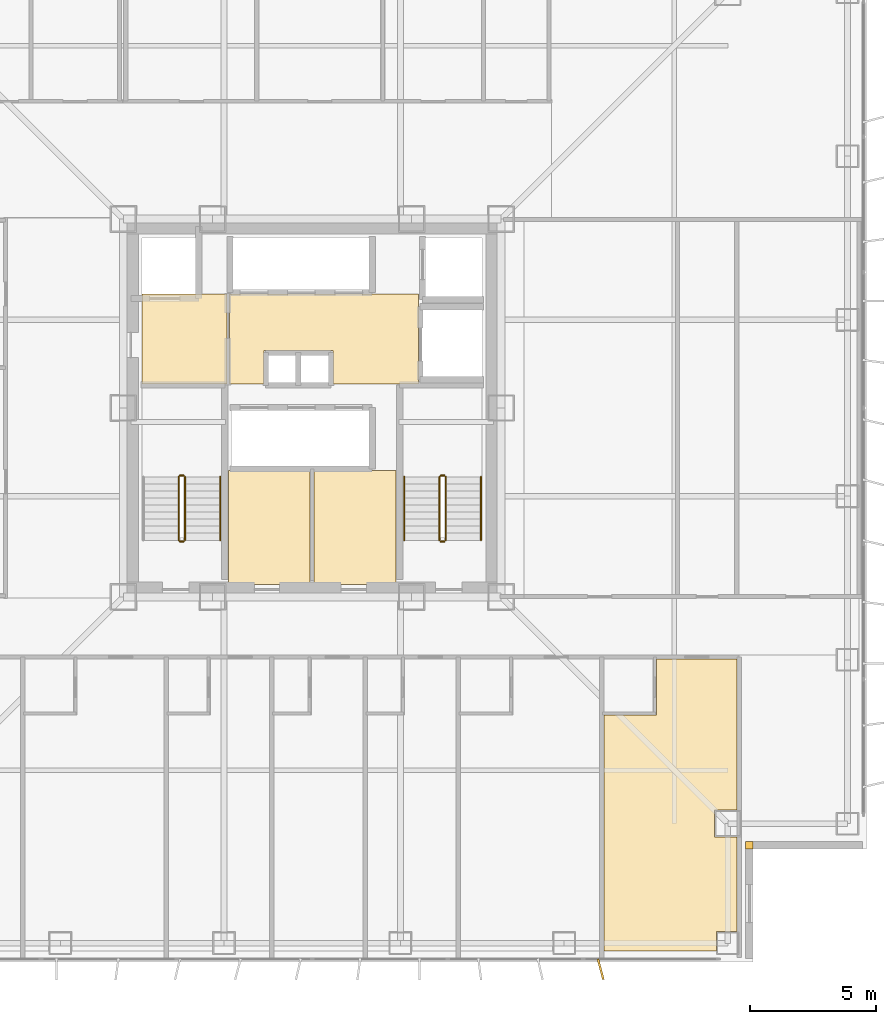
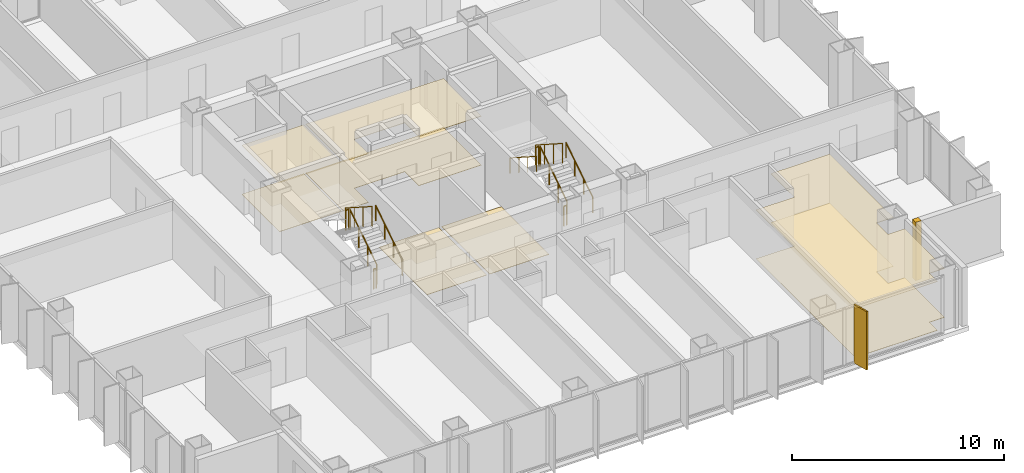
# One storey, part 17 of 18: 11 railings, 9 coverings, 1 shading device.
"""IFC4 building model written with IfcOpenShell, lengths in metres."""

from ifc_helpers import new_model, si_unit, direction, frame, origin, origin_2d, place, context, subcontext, project, spatial, polyline, rectangle, circle, outline, extrude, material, layer, layer_set, type_object, element, save


model = new_model("IFC4")

# Units and contexts
model_context = context("Model", 3, precision=1e-05, world=origin(), true_north=direction((0.0, 1.0)))
body_context = subcontext(model_context, "Body", "Model", "MODEL_VIEW")
ifc_project = project(units=[si_unit("LENGTHUNIT", "METRE"), si_unit("AREAUNIT", "SQUARE_METRE"), si_unit("VOLUMEUNIT", "CUBIC_METRE"), si_unit("PLANEANGLEUNIT", "RADIAN"), si_unit("MASSUNIT", "GRAM", prefix="KILO")], contexts=[model_context])

# Site, building, storey
site_placement = place(None, origin())
site = spatial("IfcSite", under=ifc_project, at=site_placement, CompositionType="ELEMENT")
building_placement = place(site_placement, origin())
building = spatial("IfcBuilding", under=site, at=building_placement, Name="Trevonay Congress Spire", CompositionType="ELEMENT")
storey_placement = place(building_placement, frame((0.0, 0.0, 148.0)))
storey = spatial("IfcBuildingStorey", under=building, at=storey_placement, Name="L38", CompositionType="ELEMENT", Elevation=148.0)

# Coverings
ifc_material_1 = material(Name="Acoustic Mineral Fibre Board", Category="gypsum")
ifc_layer_1 = layer(ifc_material_1, 0.02490234375, Name="Acoustic Mineral Fibre Board")
ifc_layer_set_1 = layer_set([ifc_layer_1], Name="Acoustic Mineral Fibre Board")
covering_type_1 = type_object("IfcCoveringType", Name="COV-CEIL-ACOUSTIC", PredefinedType="CEILING", material=ifc_layer_set_1)
covering_1_placement = place(storey_placement, frame((0.0, 0.0, 2.81005859375)))
element("IfcCovering", 1, at=covering_1_placement, inside=storey, type_object=covering_type_1, Name="L38 Firefighting Lift Lobby West acoustic suspended ceiling", PredefinedType="CEILING", context=body_context, shape_type="SweptSolid", body=[
    extrude(outline(polyline([(-6.75, 0.9599609375), (-3.3798828125, 0.9599609375), (-3.3798828125, 4.52001953125), (-6.75, 4.52001953125), (-6.75, 0.9599609375)])), origin(), (0.0, 0.0, 1.0), 0.02490234375),
])
covering_2_placement = place(storey_placement, frame((0.0, 0.0, 2.81005859375)))
element("IfcCovering", 2, at=covering_2_placement, inside=storey, type_object=covering_type_1, Name="L38 Central and High-Rise Passenger Lift Lobby acoustic suspended ceiling", PredefinedType="CEILING", context=body_context, shape_type="SweptSolid", body=[
    extrude(outline(polyline([(-3.280029296875, 0.949951171875), (-1.919921875, 0.949951171875), (-1.919921875, 2.280029296875), (0.820068359375, 2.280029296875), (0.820068359375, 0.949951171875), (4.219970703125, 0.949951171875), (4.219970703125, 4.52001953125), (-3.280029296875, 4.52001953125), (-3.280029296875, 0.949951171875)])), origin(), (0.0, 0.0, 1.0), 0.02490234375),
])
covering_3_placement = place(storey_placement, frame((0.0, 0.0, 2.81005859375)))
element("IfcCovering", 3, at=covering_3_placement, inside=storey, type_object=covering_type_1, Name="L38 Hotel Guest Room acoustic suspended ceiling", PredefinedType="CEILING", context=body_context, shape_type="SweptSolid", body=[
    extrude(outline(polyline([(11.580078125, -21.550048828125), (11.580078125, -12.18994140625), (13.669921875, -12.18994140625), (13.669921875, -9.9599609375), (16.8701171875, -9.9599609375), (16.8701171875, -15.965087890625), (15.965087890625, -15.965087890625), (15.965087890625, -17.034912109375), (16.8701171875, -17.034912109375), (16.8701171875, -20.7900390625), (16.0400390625, -20.7900390625), (16.0400390625, -21.550048828125), (11.580078125, -21.550048828125)])), origin(), (0.0, 0.0, 1.0), 0.02490234375),
])
ifc_material_2 = material(Name="Polished Granite Floor Tile", Category="masonry")
ifc_layer_2 = layer(ifc_material_2, 0.02001953125, Name="Polished Granite Floor Tile")
ifc_layer_set_2 = layer_set([ifc_layer_2], Name="Polished Granite Floor Tile")
covering_type_2 = type_object("IfcCoveringType", Name="COV-FLOOR-STONE", PredefinedType="FLOORING", material=ifc_layer_set_2)
covering_4_placement = place(storey_placement, origin())
element("IfcCovering", 4, at=covering_4_placement, inside=storey, type_object=covering_type_2, Name="L38 Firefighting Lift Lobby West floor finish", PredefinedType="FLOORING", context=body_context, shape_type="SweptSolid", body=[
    extrude(outline(polyline([(-6.75, 0.9599609375), (-3.3798828125, 0.9599609375), (-3.3798828125, 4.52001953125), (-6.75, 4.52001953125), (-6.75, 0.9599609375)])), origin(), (0.0, 0.0, 1.0), 0.02001953125),
])
covering_5_placement = place(storey_placement, origin())
element("IfcCovering", 5, at=covering_5_placement, inside=storey, type_object=covering_type_2, Name="L38 Central and High-Rise Passenger Lift Lobby floor finish", PredefinedType="FLOORING", context=body_context, shape_type="SweptSolid", body=[
    extrude(outline(polyline([(-3.280029296875, 0.949951171875), (-1.919921875, 0.949951171875), (-1.919921875, 2.280029296875), (0.820068359375, 2.280029296875), (0.820068359375, 0.949951171875), (4.219970703125, 0.949951171875), (4.219970703125, 4.52001953125), (-3.280029296875, 4.52001953125), (-3.280029296875, 0.949951171875)])), origin(), (0.0, 0.0, 1.0), 0.02001953125),
])
covering_6_placement = place(storey_placement, origin())
element("IfcCovering", 6, at=covering_6_placement, inside=storey, type_object=covering_type_2, Name="L38 Core Server and IT Hub floor finish", PredefinedType="FLOORING", context=body_context, shape_type="SweptSolid", body=[
    extrude(outline(polyline([(-3.320068359375, -7.0), (-0.080078125, -7.0), (-0.080078125, -2.47998046875), (-3.320068359375, -2.47998046875), (-3.320068359375, -7.0)])), origin(), (0.0, 0.0, 1.0), 0.02001953125),
])
covering_7_placement = place(storey_placement, origin())
element("IfcCovering", 7, at=covering_7_placement, inside=storey, type_object=covering_type_2, Name="L38 Core Document Archive Room floor finish", PredefinedType="FLOORING", context=body_context, shape_type="SweptSolid", body=[
    extrude(outline(polyline([(0.080078125, -7.0), (3.320068359375, -7.0), (3.320068359375, -2.47998046875), (0.080078125, -2.47998046875), (0.080078125, -7.0)])), origin(), (0.0, 0.0, 1.0), 0.02001953125),
])
ifc_material_3 = material(Name="Engineered Oak Flooring", Category="wood")
ifc_layer_3 = layer(ifc_material_3, 0.01806640625, Name="Engineered Oak Flooring")
ifc_layer_set_3 = layer_set([ifc_layer_3], Name="Engineered Oak Flooring")
covering_type_3 = type_object("IfcCoveringType", Name="COV-FLOOR-TIMBER", PredefinedType="FLOORING", material=ifc_layer_set_3)
covering_8_placement = place(storey_placement, origin())
element("IfcCovering", 8, at=covering_8_placement, inside=storey, type_object=covering_type_3, Name="L38 Hotel Guest Room floor finish", PredefinedType="FLOORING", context=body_context, shape_type="SweptSolid", body=[
    extrude(outline(polyline([(11.580078125, -21.550048828125), (11.580078125, -12.18994140625), (13.669921875, -12.18994140625), (13.669921875, -9.9599609375), (16.8701171875, -9.9599609375), (16.8701171875, -15.965087890625), (15.965087890625, -15.965087890625), (15.965087890625, -17.034912109375), (16.8701171875, -17.034912109375), (16.8701171875, -20.7900390625), (16.0400390625, -20.7900390625), (16.0400390625, -21.550048828125), (11.580078125, -21.550048828125)])), origin(), (0.0, 0.0, 1.0), 0.01806640625),
])
ifc_material_4 = material(Name="Pale Anodised Aluminium EN AW-6063-T6", Category="aluminium")
ifc_layer_4 = layer(ifc_material_4, 0.0400390625, Name="Pale Anodised Aluminium EN AW-6063-T6")
ifc_layer_set_4 = layer_set([ifc_layer_4], Name="Pale Anodised Aluminium EN AW-6063-T6")
covering_type_4 = type_object("IfcCoveringType", Name="COV-SPANDREL-PALE-METAL", PredefinedType="CLADDING", material=ifc_layer_set_4)
covering_9_placement = place(storey_placement, origin())
element("IfcCovering", 9, at=covering_9_placement, inside=storey, type_object=covering_type_4, Name="L38 SE re-entrant notch corner closure trim", PredefinedType="CLADDING", context=body_context, shape_type="SweptSolid", body=[
    extrude(outline(polyline([(17.199951171875, -17.5), (17.5, -17.5), (17.5, -17.199951171875), (17.199951171875, -17.199951171875), (17.199951171875, -17.5)])), origin(), (0.0, 0.0, 1.0), 3.360107421875),
])

# Railings
railing_type_1 = type_object("IfcRailingType", Name="RAL-STAIR-GUARD-110", PredefinedType="GUARDRAIL", material=ifc_material_4)
railing_1_placement = place(storey_placement, frame((-5.050048828125, -5.25, 0.179931640625)))
element("IfcRailing", 10, at=railing_1_placement, inside=storey, type_object=railing_type_1, Name="L38 ST-1 stair guard 1", PredefinedType="GUARDRAIL", context=body_context, shape_type="SweptSolid", body=[
    extrude(circle(Radius=0.02392578125, at=origin_2d()), frame((0.0, 0.0, 1.1259765625), z_axis=(0.0, 0.841162588446, 0.540782303519), x_axis=(-1.0, 0.0, 0.0)), (0.0, 0.0, 1.0), 2.995849609375),
    extrude(circle(Radius=0.02099609375, at=origin_2d()), origin(), (0.0, 0.0, 1.0), 1.101806640625),
    extrude(circle(Radius=0.02099609375, at=origin_2d()), frame((0.0, 0.840087890625, 0.5400390625)), (0.0, 0.0, 1.0), 1.101806640625),
    extrude(circle(Radius=0.02099609375, at=origin_2d()), frame((0.0, 1.679931640625, 1.080078125)), (0.0, 0.0, 1.0), 1.101806640625),
    extrude(circle(Radius=0.02099609375, at=origin_2d()), frame((0.0, 2.52001953125, 1.6201171875)), (0.0, 0.0, 1.0), 1.101806640625),
])
railing_2_placement = place(storey_placement, frame((-5.10009765625, -2.679931640625, 1.800048828125)))
element("IfcRailing", 11, at=railing_2_placement, inside=storey, type_object=railing_type_1, Name="L38 ST-1 stair guard 2", PredefinedType="GUARDRAIL", context=body_context, shape_type="SweptSolid", body=[
    extrude(circle(Radius=0.02392578125, at=origin_2d()), frame((0.0, 0.0, 1.1259765625), z_axis=(-1.0, 0.0, 0.0), x_axis=(0.0, -1.0, 0.0)), (0.0, 0.0, 1.0), 0.14990234375),
    extrude(circle(Radius=0.02099609375, at=origin_2d()), origin(), (0.0, 0.0, 1.0), 1.101806640625),
    extrude(circle(Radius=0.02099609375, at=origin_2d()), frame((-0.14990234375, 0.0, 0.0)), (0.0, 0.0, 1.0), 1.101806640625),
])
railing_3_placement = place(storey_placement, frame((-5.300048828125, -2.72998046875, 1.97998046875)))
element("IfcRailing", 12, at=railing_3_placement, inside=storey, type_object=railing_type_1, Name="L38 ST-1 stair guard 3", PredefinedType="GUARDRAIL", context=body_context, shape_type="SweptSolid", body=[
    extrude(circle(Radius=0.02392578125, at=origin_2d()), frame((0.0, 0.0, 1.1259765625), z_axis=(0.0, -0.841162588446, 0.540782303519), x_axis=(1.0, 0.0, 0.0)), (0.0, 0.0, 1.0), 2.995849609375),
    extrude(circle(Radius=0.02099609375, at=origin_2d()), origin(), (0.0, 0.0, 1.0), 1.101806640625),
    extrude(circle(Radius=0.02099609375, at=origin_2d()), frame((0.0, -0.840087890625, 0.5400390625)), (0.0, 0.0, 1.0), 1.101806640625),
    extrude(circle(Radius=0.02099609375, at=origin_2d()), frame((0.0, -1.679931640625, 1.080078125)), (0.0, 0.0, 1.0), 1.101806640625),
    extrude(circle(Radius=0.02099609375, at=origin_2d()), frame((0.0, -2.52001953125, 1.6201171875)), (0.0, 0.0, 1.0), 1.101806640625),
])
railing_4_placement = place(storey_placement, frame((-5.10009765625, -5.300048828125, 0.0)))
element("IfcRailing", 13, at=railing_4_placement, inside=storey, type_object=railing_type_1, Name="L38 ST-1 stair guard 4", PredefinedType="GUARDRAIL", context=body_context, shape_type="SweptSolid", body=[
    extrude(circle(Radius=0.02392578125, at=origin_2d()), frame((0.0, 0.0, 1.1259765625), z_axis=(-1.0, 0.0, 0.0), x_axis=(0.0, -1.0, 0.0)), (0.0, 0.0, 1.0), 0.14990234375),
    extrude(circle(Radius=0.02099609375, at=origin_2d()), origin(), (0.0, 0.0, 1.0), 1.101806640625),
    extrude(circle(Radius=0.02099609375, at=origin_2d()), frame((-0.14990234375, 0.0, 0.0)), (0.0, 0.0, 1.0), 1.101806640625),
])
railing_5_placement = place(storey_placement, frame((5.300048828125, -5.25, 0.179931640625)))
element("IfcRailing", 14, at=railing_5_placement, inside=storey, type_object=railing_type_1, Name="L38 ST-2 stair guard 1", PredefinedType="GUARDRAIL", context=body_context, shape_type="SweptSolid", body=[
    extrude(circle(Radius=0.02392578125, at=origin_2d()), frame((0.0, 0.0, 1.1259765625), z_axis=(0.0, 0.841162588446, 0.540782303519), x_axis=(-1.0, 0.0, 0.0)), (0.0, 0.0, 1.0), 2.995849609375),
    extrude(circle(Radius=0.02099609375, at=origin_2d()), origin(), (0.0, 0.0, 1.0), 1.101806640625),
    extrude(circle(Radius=0.02099609375, at=origin_2d()), frame((0.0, 0.840087890625, 0.5400390625)), (0.0, 0.0, 1.0), 1.101806640625),
    extrude(circle(Radius=0.02099609375, at=origin_2d()), frame((0.0, 1.679931640625, 1.080078125)), (0.0, 0.0, 1.0), 1.101806640625),
    extrude(circle(Radius=0.02099609375, at=origin_2d()), frame((0.0, 2.52001953125, 1.6201171875)), (0.0, 0.0, 1.0), 1.101806640625),
])
railing_6_placement = place(storey_placement, frame((5.25, -2.679931640625, 1.800048828125)))
element("IfcRailing", 15, at=railing_6_placement, inside=storey, type_object=railing_type_1, Name="L38 ST-2 stair guard 2", PredefinedType="GUARDRAIL", context=body_context, shape_type="SweptSolid", body=[
    extrude(circle(Radius=0.02392578125, at=origin_2d()), frame((0.0, 0.0, 1.1259765625), z_axis=(-1.0, 0.0, 0.0), x_axis=(0.0, -1.0, 0.0)), (0.0, 0.0, 1.0), 0.14990234375),
    extrude(circle(Radius=0.02099609375, at=origin_2d()), origin(), (0.0, 0.0, 1.0), 1.101806640625),
    extrude(circle(Radius=0.02099609375, at=origin_2d()), frame((-0.14990234375, 0.0, 0.0)), (0.0, 0.0, 1.0), 1.101806640625),
])
railing_7_placement = place(storey_placement, frame((5.050048828125, -2.72998046875, 1.97998046875)))
element("IfcRailing", 16, at=railing_7_placement, inside=storey, type_object=railing_type_1, Name="L38 ST-2 stair guard 3", PredefinedType="GUARDRAIL", context=body_context, shape_type="SweptSolid", body=[
    extrude(circle(Radius=0.02392578125, at=origin_2d()), frame((0.0, 0.0, 1.1259765625), z_axis=(0.0, -0.841162588446, 0.540782303519), x_axis=(1.0, 0.0, 0.0)), (0.0, 0.0, 1.0), 2.995849609375),
    extrude(circle(Radius=0.02099609375, at=origin_2d()), origin(), (0.0, 0.0, 1.0), 1.101806640625),
    extrude(circle(Radius=0.02099609375, at=origin_2d()), frame((0.0, -0.840087890625, 0.5400390625)), (0.0, 0.0, 1.0), 1.101806640625),
    extrude(circle(Radius=0.02099609375, at=origin_2d()), frame((0.0, -1.679931640625, 1.080078125)), (0.0, 0.0, 1.0), 1.101806640625),
    extrude(circle(Radius=0.02099609375, at=origin_2d()), frame((0.0, -2.52001953125, 1.6201171875)), (0.0, 0.0, 1.0), 1.101806640625),
])
railing_8_placement = place(storey_placement, frame((5.25, -5.300048828125, 0.0)))
element("IfcRailing", 17, at=railing_8_placement, inside=storey, type_object=railing_type_1, Name="L38 ST-2 stair guard 4", PredefinedType="GUARDRAIL", context=body_context, shape_type="SweptSolid", body=[
    extrude(circle(Radius=0.02392578125, at=origin_2d()), frame((0.0, 0.0, 1.1259765625), z_axis=(-1.0, 0.0, 0.0), x_axis=(0.0, -1.0, 0.0)), (0.0, 0.0, 1.0), 0.14990234375),
    extrude(circle(Radius=0.02099609375, at=origin_2d()), origin(), (0.0, 0.0, 1.0), 1.101806640625),
    extrude(circle(Radius=0.02099609375, at=origin_2d()), frame((-0.14990234375, 0.0, 0.0)), (0.0, 0.0, 1.0), 1.101806640625),
])
railing_type_2 = type_object("IfcRailingType", Name="RAL-STAIR-HANDRAIL", PredefinedType="HANDRAIL", material=ifc_material_4)
for number, where, name in (
    (18, (-3.64990234375, -5.25, 0.179931640625), "L38 ST-1 stair handrail 1"),
    (19, (6.699951171875, -5.25, 0.179931640625), "L38 ST-2 stair handrail 1"),
):
    element("IfcRailing", number, at=place(storey_placement, frame(where)), inside=storey, type_object=railing_type_2, Name=name, PredefinedType="HANDRAIL", context=body_context, shape_type="SweptSolid", body=[
        extrude(circle(Radius=0.02392578125, at=origin_2d()), frame((0.0, 0.0, 0.8759765625), z_axis=(0.0, 0.841162588446, 0.540782303519), x_axis=(-1.0, 0.0, 0.0)), (0.0, 0.0, 1.0), 2.995849609375),
        extrude(circle(Radius=0.02099609375, at=origin_2d()), origin(), (0.0, 0.0, 1.0), 0.851806640625),
        extrude(circle(Radius=0.02099609375, at=origin_2d()), frame((0.0, 0.840087890625, 0.5400390625)), (0.0, 0.0, 1.0), 0.851806640625),
        extrude(circle(Radius=0.02099609375, at=origin_2d()), frame((0.0, 1.679931640625, 1.080078125)), (0.0, 0.0, 1.0), 0.851806640625),
        extrude(circle(Radius=0.02099609375, at=origin_2d()), frame((0.0, 2.52001953125, 1.6201171875)), (0.0, 0.0, 1.0), 0.851806640625),
    ])
railing_9_placement = place(storey_placement, frame((3.64990234375, -2.72998046875, 1.97998046875)))
element("IfcRailing", 20, at=railing_9_placement, inside=storey, type_object=railing_type_2, Name="L38 ST-2 stair handrail 2", PredefinedType="HANDRAIL", context=body_context, shape_type="SweptSolid", body=[
    extrude(circle(Radius=0.02392578125, at=origin_2d()), frame((0.0, 0.0, 0.8759765625), z_axis=(0.0, -0.841162588446, 0.540782303519), x_axis=(1.0, 0.0, 0.0)), (0.0, 0.0, 1.0), 2.995849609375),
    extrude(circle(Radius=0.02099609375, at=origin_2d()), origin(), (0.0, 0.0, 1.0), 0.851806640625),
    extrude(circle(Radius=0.02099609375, at=origin_2d()), frame((0.0, -0.840087890625, 0.5400390625)), (0.0, 0.0, 1.0), 0.851806640625),
    extrude(circle(Radius=0.02099609375, at=origin_2d()), frame((0.0, -1.679931640625, 1.080078125)), (0.0, 0.0, 1.0), 0.851806640625),
    extrude(circle(Radius=0.02099609375, at=origin_2d()), frame((0.0, -2.52001953125, 1.6201171875)), (0.0, 0.0, 1.0), 0.851806640625),
])

# Shading device
shading_device_type = type_object("IfcShadingDeviceType", Name="SHD-FIN-Z2-PALE-METAL", PredefinedType="USERDEFINED", material=ifc_material_4)
shading_device_placement = place(storey_placement, frame((11.449951171875, -22.280029296875, 0.0), z_axis=(0.0, 0.0, 1.0), x_axis=(0.965925826289, 0.258819045103, 0.0)))
element("IfcShadingDevice", 21, at=shading_device_placement, inside=storey, type_object=shading_device_type, Name="L38 S vertical pale-metal solar fin 12", ObjectType="SOLAR FIN", PredefinedType="USERDEFINED", context=body_context, shape_type="SweptSolid", body=[
    extrude(rectangle(XDim=0.080078125, YDim=0.85009765625, at=origin_2d()), origin(), (0.0, 0.0, 1.0), 3.360107421875),
])

save(model, "model.ifc")
